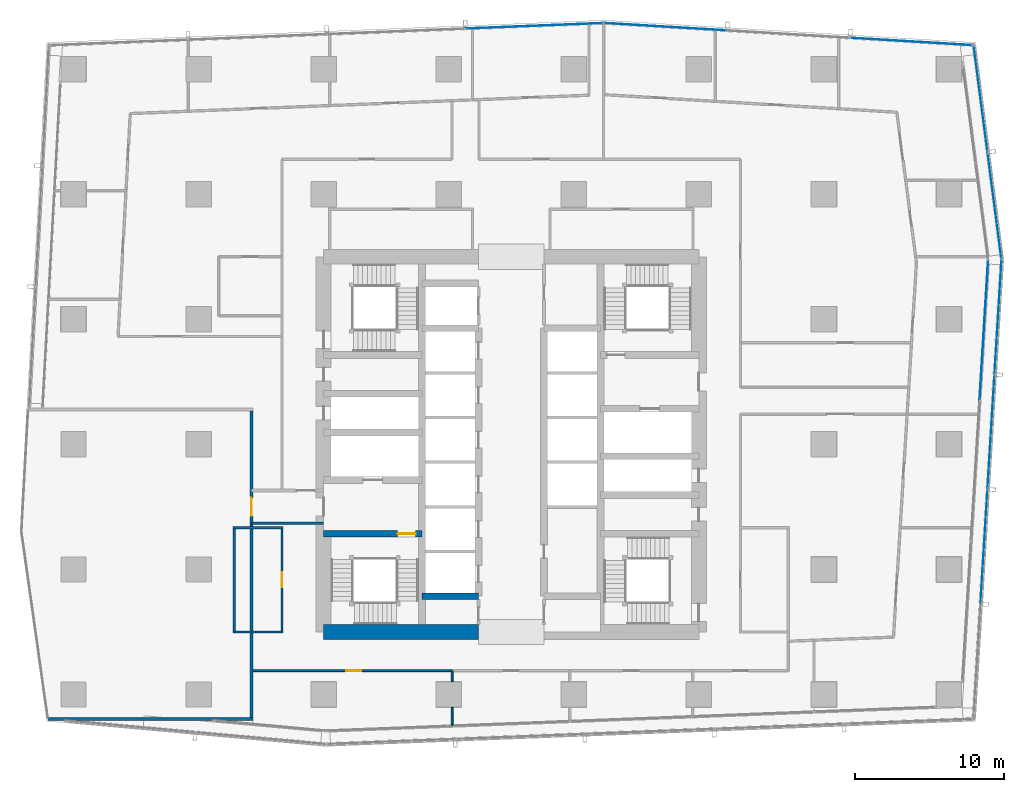
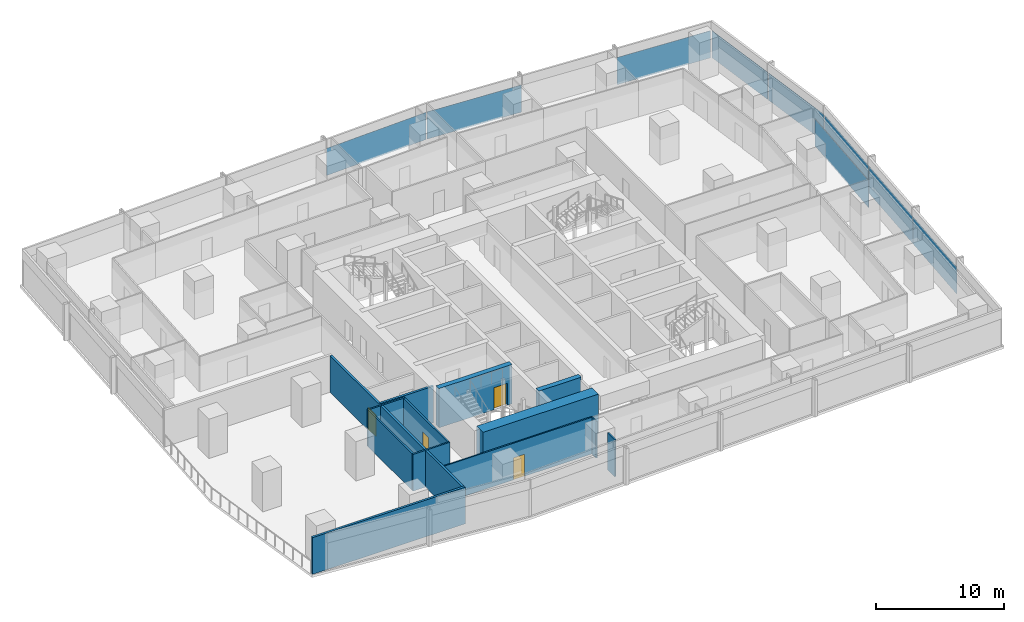
# One storey, part 26 of 38: 13 walls, 9 plates, 4 doors, 4 openings, 5 elements without a shape of their own.
"""IFC4 building model written with IfcOpenShell, lengths in metres."""

from ifc_helpers import new_model, si_unit, direction, frame, frame_2d, origin, origin_2d, place, context, subcontext, project, spatial, rectangle, extrude, material, layer, layer_set, type_object, element, fill, aggregate, save


model = new_model("IFC4")

# Units and contexts
model_context = context("Model", 3, precision=1e-05, world=origin(), true_north=direction((0.0, 1.0)))
body_context = subcontext(model_context, "Body", "Model", "MODEL_VIEW")
ifc_project = project(units=[si_unit("LENGTHUNIT", "METRE"), si_unit("AREAUNIT", "SQUARE_METRE"), si_unit("VOLUMEUNIT", "CUBIC_METRE"), si_unit("PLANEANGLEUNIT", "RADIAN"), si_unit("MASSUNIT", "GRAM", prefix="KILO")], contexts=[model_context])

# Site, building, storey
site_placement = place(None, origin())
site = spatial("IfcSite", under=ifc_project, at=site_placement, CompositionType="ELEMENT")
building_placement = place(site_placement, origin())
building = spatial("IfcBuilding", under=site, at=building_placement, Name="Rekha Terrace Tower", CompositionType="ELEMENT")
storey_placement = place(building_placement, frame((0.0, 0.0, 114.050048828125)))
storey = spatial("IfcBuildingStorey", under=building, at=storey_placement, Name="L28", CompositionType="ELEMENT", Elevation=114.050048828125)

# Curtain wall, plate
ifc_material_1 = material(Name="Aluminium framing", Category="aluminium")
curtain_wall_type_1 = type_object("IfcCurtainWallType", Name="CW1 double skin inner glazing", PredefinedType="USERDEFINED", material=ifc_material_1)
curtain_wall_1_placement = place(storey_placement, origin())
curtain_wall_1 = element("IfcCurtainWall", 1, at=curtain_wall_1_placement, inside=storey, type_object=curtain_wall_type_1, Name="CW1 double skin inner glazing", ObjectType="DOUBLE SKIN INNER GLAZING", PredefinedType="USERDEFINED")
ifc_material_2 = material(Name="Double-glazed low-e unit 32", Category="glass")
ifc_layer_1 = layer(ifc_material_2, 0.031982421875)
ifc_layer_set_1 = layer_set([ifc_layer_1], Name="Double-glazed low-e unit 32")
plate_type_1 = type_object("IfcPlateType", Name="CW1 jumbo vision panel, double-glazed low-e unit 32", PredefinedType="CURTAIN_PANEL", material=ifc_layer_set_1)
plate_1_placement = place(storey_placement, frame((69.547607421875, 41.2705078125, 0.0), z_axis=(0.0, 0.0, 1.0), x_axis=(0.061159803131, 0.998127987024, 0.0)))
plate_1 = element("IfcPlate", 2, at=plate_1_placement, type_object=plate_type_1, Name="CW1 panel 3.1", PredefinedType="CURTAIN_PANEL", context=body_context, shape_type="SweptSolid", body=[
    extrude(rectangle(XDim=9.420166015625, YDim=0.031982421875, at=origin_2d()), origin(), (0.0, 0.0, 1.0), 2.60009765625),
])
aggregate(curtain_wall_1, [plate_1])

# Curtain wall, plates
curtain_wall_type_2 = type_object("IfcCurtainWallType", Name="CW2 double skin outer glazing", PredefinedType="USERDEFINED", material=ifc_material_1)
curtain_wall_2_placement = place(storey_placement, origin())
curtain_wall_2 = element("IfcCurtainWall", 3, at=curtain_wall_2_placement, inside=storey, type_object=curtain_wall_type_2, Name="CW2 double skin outer glazing", ObjectType="DOUBLE SKIN OUTER GLAZING", PredefinedType="USERDEFINED")
ifc_material_3 = material(Name="Toughened single glazing 12", Category="glass")
ifc_layer_2 = layer(ifc_material_3, 0.011962890625)
ifc_layer_set_2 = layer_set([ifc_layer_2], Name="Toughened single glazing 12")
plate_type_2 = type_object("IfcPlateType", Name="CW2 jumbo vision panel, toughened single glazing 12", PredefinedType="CURTAIN_PANEL", material=ifc_layer_set_2)
plate_2_placement = place(storey_placement, frame((69.557861328125, 26.722412109375, 0.0), z_axis=(0.0, 0.0, 1.0), x_axis=(0.061159803131, 0.998127987024, 0.0)))
plate_2 = element("IfcPlate", 4, at=plate_2_placement, type_object=plate_type_2, Name="CW2 panel 2.1", PredefinedType="CURTAIN_PANEL", context=body_context, shape_type="SweptSolid", body=[
    extrude(rectangle(XDim=7.646484375, YDim=0.011962890625, at=origin_2d()), origin(), (0.0, 0.0, 1.0), 2.60009765625),
])
plate_3_placement = place(storey_placement, frame((70.030517578125, 34.434326171875, 0.0), z_axis=(0.0, 0.0, 1.0), x_axis=(0.061159803131, 0.998127987024, 0.0)))
plate_3 = element("IfcPlate", 5, at=plate_3_placement, type_object=plate_type_2, Name="CW2 panel 3.1", PredefinedType="CURTAIN_PANEL", context=body_context, shape_type="SweptSolid", body=[
    extrude(rectangle(XDim=7.646484375, YDim=0.011962890625, at=origin_2d()), origin(), (0.0, 0.0, 1.0), 2.60009765625),
])
plate_4_placement = place(storey_placement, frame((70.50439453125, 42.16650390625, 0.0), z_axis=(0.0, 0.0, 1.0), x_axis=(0.061159803131, 0.998127987024, 0.0)))
plate_4 = element("IfcPlate", 6, at=plate_4_placement, type_object=plate_type_2, Name="CW2 panel 4.1", PredefinedType="CURTAIN_PANEL", context=body_context, shape_type="SweptSolid", body=[
    extrude(rectangle(XDim=7.6865234375, YDim=0.011962890625, at=origin_2d()), origin(), (0.0, 0.0, 1.0), 2.60009765625),
])
aggregate(curtain_wall_2, [plate_2, plate_3, plate_4])

curtain_wall_3_placement = place(storey_placement, origin())
curtain_wall_3 = element("IfcCurtainWall", 7, at=curtain_wall_3_placement, inside=storey, type_object=curtain_wall_type_2, Name="CW2 double skin outer glazing", ObjectType="DOUBLE SKIN OUTER GLAZING", PredefinedType="USERDEFINED")
plate_5_placement = place(storey_placement, frame((70.2666015625, 49.6337890625, 0.0), z_axis=(0.0, 0.0, 1.0), x_axis=(-0.129118383623, 0.991629186244, 0.0)))
plate_5 = element("IfcPlate", 8, at=plate_5_placement, type_object=plate_type_2, Name="CW2 panel 1.1", PredefinedType="CURTAIN_PANEL", context=body_context, shape_type="SweptSolid", body=[
    extrude(rectangle(XDim=7.163818359375, YDim=0.011962890625, at=origin_2d()), origin(), (0.0, 0.0, 1.0), 2.60009765625),
])
plate_6_placement = place(storey_placement, frame((69.331298828125, 56.81689453125, 0.0), z_axis=(0.0, 0.0, 1.0), x_axis=(-0.129118383623, 0.991629186244, 0.0)))
plate_6 = element("IfcPlate", 9, at=plate_6_placement, type_object=plate_type_2, Name="CW2 panel 2.1", PredefinedType="CURTAIN_PANEL", context=body_context, shape_type="SweptSolid", body=[
    extrude(rectangle(XDim=7.163818359375, YDim=0.011962890625, at=origin_2d()), origin(), (0.0, 0.0, 1.0), 2.60009765625),
])
aggregate(curtain_wall_3, [plate_5, plate_6])

curtain_wall_type_3 = type_object("IfcCurtainWallType", Name="CW3 north unitised glazing", PredefinedType="USERDEFINED", material=ifc_material_1)
curtain_wall_4_placement = place(storey_placement, origin())
curtain_wall_4 = element("IfcCurtainWall", 10, at=curtain_wall_4_placement, inside=storey, type_object=curtain_wall_type_3, Name="CW3 unitised curtain wall", ObjectType="UNITISED CURTAIN WALL", PredefinedType="USERDEFINED")
ifc_material_4 = material(Name="Double-glazed unit 28", Category="glass")
ifc_layer_3 = layer(ifc_material_4, 0.028076171875)
ifc_layer_set_3 = layer_set([ifc_layer_3], Name="Double-glazed unit 28")
plate_type_3 = type_object("IfcPlateType", Name="CW3 jumbo vision panel, double-glazed unit 28", PredefinedType="CURTAIN_PANEL", material=ifc_layer_set_3)
plate_7_placement = place(storey_placement, frame((64.6748046875, 60.65966796875, 0.0), z_axis=(0.0, 0.0, 1.0), x_axis=(-0.998199102701, 0.059987926837, 0.0)))
plate_7 = element("IfcPlate", 11, at=plate_7_placement, type_object=plate_type_3, Name="CW3 panel 1.1", PredefinedType="CURTAIN_PANEL", context=body_context, shape_type="SweptSolid", body=[
    extrude(rectangle(XDim=8.171630859375, YDim=0.028076171875, at=origin_2d()), origin(), (0.0, 0.0, 1.0), 2.60009765625),
])
plate_8_placement = place(storey_placement, frame((48.1513671875, 61.652587890625, 0.0), z_axis=(0.0, 0.0, 1.0), x_axis=(-0.998199102701, 0.059987926837, 0.0)))
plate_8 = element("IfcPlate", 12, at=plate_8_placement, type_object=plate_type_3, Name="CW3 panel 3.1", PredefinedType="CURTAIN_PANEL", context=body_context, shape_type="SweptSolid", body=[
    extrude(rectangle(XDim=8.24169921875, YDim=0.028076171875, at=origin_2d()), origin(), (0.0, 0.0, 1.0), 2.60009765625),
])
aggregate(curtain_wall_4, [plate_7, plate_8])

# Curtain wall, plate
curtain_wall_5_placement = place(storey_placement, origin())
curtain_wall_5 = element("IfcCurtainWall", 13, at=curtain_wall_5_placement, inside=storey, type_object=curtain_wall_type_3, Name="CW3 unitised curtain wall", ObjectType="UNITISED CURTAIN WALL", PredefinedType="USERDEFINED")
plate_9_placement = place(storey_placement, frame((39.364501953125, 61.71240234375, 0.0), z_axis=(0.0, 0.0, 1.0), x_axis=(-0.999198398721, -0.040031987119, 0.0)))
plate_9 = element("IfcPlate", 14, at=plate_9_placement, type_object=plate_type_3, Name="CW3 panel 1.1", PredefinedType="CURTAIN_PANEL", context=body_context, shape_type="SweptSolid", body=[
    extrude(rectangle(XDim=9.214599609375, YDim=0.028076171875, at=origin_2d()), origin(), (0.0, 0.0, 1.0), 2.60009765625),
])
aggregate(curtain_wall_5, [plate_9])

# Wall
ifc_material_5 = material(Name="Concrete M70", Category="concrete")
ifc_layer_4 = layer(ifc_material_5, 0.449951171875)
ifc_layer_set_4 = layer_set([ifc_layer_4], Name="Concrete M70")
wall_type_1 = type_object("IfcWallType", Name="CI2 450 core internal shear wall", PredefinedType="SHEAR", material=ifc_layer_set_4)
wall_1_placement = place(storey_placement, frame((31.800048828125, 23.39990234375, 0.0), z_axis=(0.0, 0.0, 1.0), x_axis=(1.0, 0.0, 0.0)))
element("IfcWall", 15, at=wall_1_placement, inside=storey, type_object=wall_type_1, Name="Core wall Y234W L28", PredefinedType="SHEAR", context=body_context, shape_type="SweptSolid", body=[
    extrude(rectangle(XDim=3.800048828125, YDim=0.449951171875, at=frame_2d((1.89990234375, 0.0))), origin(), (0.0, 0.0, 1.0), 3.75),
])

# Wall, opening, door
wall_2_placement = place(storey_placement, frame((25.199951171875, 27.60009765625, 0.0), z_axis=(0.0, 0.0, 1.0), x_axis=(1.0, 0.0, 0.0)))
wall_2 = element("IfcWall", 16, at=wall_2_placement, inside=storey, type_object=wall_type_1, Name="Core wall Y276W L28", PredefinedType="SHEAR", context=body_context, shape_type="SweptSolid", body=[
    extrude(rectangle(XDim=6.60009765625, YDim=0.449951171875, at=frame_2d((3.300048828125, 0.0))), origin(), (0.0, 0.0, 1.0), 3.75),
])
opening_1_placement = place(wall_2_placement, frame((4.97509765625, 0.0, 0.0)))
opening_1 = element("IfcOpeningElement", 17, at=opening_1_placement, cuts=wall_2, Name="Opening D1", PredefinedType="OPENING", context=body_context, shape_type="SweptSolid", body=[
    extrude(rectangle(XDim=1.199951171875, YDim=2.10009765625, at=frame_2d((0.60009765625, 1.050048828125))), frame((0.0, 0.23486328125, 0.0), z_axis=(0.0, -1.0, 0.0), x_axis=(1.0, 0.0, 0.0)), (0.0, 0.0, 1.0), 0.469970703125),
])
ifc_material_6 = material(Name="Steel fire door", Category="steel")
door_type_1 = type_object("IfcDoorType", Name="D1 1200x2100 stair fire door", OperationType="SINGLE_SWING_RIGHT", PredefinedType="DOOR", material=ifc_material_6)
door_1_placement = place(opening_1_placement, origin())
door_1 = element("IfcDoor", 18, at=door_1_placement, inside=storey, type_object=door_type_1, Name="Stair ST1 door L28", OperationType="SINGLE_SWING_RIGHT", OverallHeight=2.10009765625, OverallWidth=1.199951171875, PredefinedType="DOOR", context=body_context, shape_type="SweptSolid", body=[
    extrude(rectangle(XDim=1.199951171875, YDim=2.10009765625, at=frame_2d((0.60009765625, 1.050048828125))), frame((0.0, 0.02490234375, 0.0), z_axis=(0.0, -1.0, 0.0), x_axis=(1.0, 0.0, 0.0)), (0.0, 0.0, 1.0), 0.050048828125),
])
fill(opening_1, door_1)

# Walls
ifc_layer_5 = layer(ifc_material_5, 1.0)
ifc_layer_set_5 = layer_set([ifc_layer_5], Name="Concrete M70")
wall_type_2 = type_object("IfcWallType", Name="SW2 1000 core outer shear wall", PredefinedType="SHEAR", material=ifc_layer_set_5)
wall_3_placement = place(storey_placement, frame((25.199951171875, 21.0, 0.0), z_axis=(0.0, 0.0, 1.0), x_axis=(1.0, 0.0, 0.0)))
element("IfcWall", 19, at=wall_3_placement, inside=storey, type_object=wall_type_2, Name="Core wall S1 L28", PredefinedType="SHEAR", context=body_context, shape_type="SweptSolid", body=[
    extrude(rectangle(XDim=10.400146484375, YDim=1.0, at=frame_2d((5.2001953125, 0.0))), origin(), (0.0, 0.0, 1.0), 3.75),
])
ifc_material_7 = material(Name="Concrete block masonry, 1 hour", Category="masonry")
ifc_layer_6 = layer(ifc_material_7, 0.14990234375)
ifc_layer_set_6 = layer_set([ifc_layer_6], Name="Concrete block masonry, 1 hour")
wall_type_3 = type_object("IfcWallType", Name="WP2 150 tenancy partition", PredefinedType="PARTITIONING", material=ifc_layer_set_6)
for number, where, z_axis, x_axis, name in (
    (20, (19.125, 21.0, 0.0), (0.0, 0.0, 1.0), (1.0, 0.0, 0.0), "Men's WC wall L28"),
    (21, (19.125, 28.0, 0.0), (0.0, 0.0, 1.0), (1.0, 0.0, 0.0), "Men's WC wall L28"),
):
    element("IfcWall", number, at=place(storey_placement, frame(where, z_axis=z_axis, x_axis=x_axis)), inside=storey, type_object=wall_type_3, Name=name, PredefinedType="PARTITIONING", context=body_context, shape_type="SweptSolid", body=[
        extrude(rectangle(XDim=3.35009765625, YDim=0.14990234375, at=frame_2d((1.675048828125, 0.0))), origin(), (0.0, 0.0, 1.0), 3.5),
    ])
wall_4_placement = place(storey_placement, frame((19.199951171875, 21.074951171875, 0.0), z_axis=(0.0, 0.0, 1.0), x_axis=(0.0, 1.0, 0.0)))
element("IfcWall", 22, at=wall_4_placement, inside=storey, type_object=wall_type_3, Name="Men's WC wall L28", PredefinedType="PARTITIONING", context=body_context, shape_type="SweptSolid", body=[
    extrude(rectangle(XDim=6.85009765625, YDim=0.14990234375, at=frame_2d((3.425048828125, 0.0))), origin(), (0.0, 0.0, 1.0), 3.5),
])

# Wall, opening, door
wall_5_placement = place(storey_placement, frame((22.39990234375, 21.074951171875, 0.0), z_axis=(0.0, 0.0, 1.0), x_axis=(0.0, 1.0, 0.0)))
wall_5 = element("IfcWall", 23, at=wall_5_placement, inside=storey, type_object=wall_type_3, Name="Men's WC wall L28", PredefinedType="PARTITIONING", context=body_context, shape_type="SweptSolid", body=[
    extrude(rectangle(XDim=6.85009765625, YDim=0.14990234375, at=frame_2d((3.425048828125, 0.0))), origin(), (0.0, 0.0, 1.0), 3.5),
])
opening_2_placement = place(wall_5_placement, frame((2.925048828125, 0.0, 0.0)))
opening_2 = element("IfcOpeningElement", 24, at=opening_2_placement, cuts=wall_5, Name="Opening D3", PredefinedType="OPENING", context=body_context, shape_type="SweptSolid", body=[
    extrude(rectangle(XDim=1.0, YDim=2.10009765625, at=frame_2d((0.5, 1.050048828125))), frame((0.0, 0.0849609375, 0.0), z_axis=(0.0, -1.0, 0.0), x_axis=(1.0, 0.0, 0.0)), (0.0, 0.0, 1.0), 0.169921875),
])
ifc_material_8 = material(Name="Laminated timber fire door", Category="wood")
door_type_2 = type_object("IfcDoorType", Name="D3 1000x2100 WC door", OperationType="SINGLE_SWING_LEFT", PredefinedType="DOOR", material=ifc_material_8)
door_2_placement = place(opening_2_placement, origin())
door_2 = element("IfcDoor", 25, at=door_2_placement, inside=storey, type_object=door_type_2, Name="Door men's wc L28", OperationType="SINGLE_SWING_LEFT", OverallHeight=2.10009765625, OverallWidth=1.0, PredefinedType="DOOR", context=body_context, shape_type="SweptSolid", body=[
    extrude(rectangle(XDim=1.0, YDim=2.10009765625, at=frame_2d((0.5, 1.050048828125))), frame((0.0, 0.02490234375, 0.0), z_axis=(0.0, -1.0, 0.0), x_axis=(1.0, 0.0, 0.0)), (0.0, 0.0, 1.0), 0.050048828125),
])
fill(opening_2, door_2)

ifc_material_9 = material(Name="Two layers of fire-rated gypsum board each side on steel studs, acoustic quilt, 1 hour", Category="steel")
ifc_layer_7 = layer(ifc_material_9, 0.125)
ifc_layer_set_7 = layer_set([ifc_layer_7], Name="Two layers of fire-rated gypsum board each side on steel studs, acoustic quilt, 1 hour")
wall_type_4 = type_object("IfcWallType", Name="WP3 125 office partition", PredefinedType="PARTITIONING", material=ifc_layer_set_7)
wall_6_placement = place(storey_placement, frame((20.4609375, 18.39990234375, 0.0), z_axis=(0.0, 0.0, 1.0), x_axis=(1.0, 0.0, 0.0)))
wall_6 = element("IfcWall", 26, at=wall_6_placement, inside=storey, type_object=wall_type_4, Name="Partition L28-20", PredefinedType="PARTITIONING", context=body_context, shape_type="SweptSolid", body=[
    extrude(rectangle(XDim=13.364013671875, YDim=0.125, at=frame_2d((6.68212890625, 0.0))), origin(), (0.0, 0.0, 1.0), 3.5),
])
opening_3_placement = place(wall_6_placement, frame((6.251953125, 0.0, 0.0)))
opening_3 = element("IfcOpeningElement", 27, at=opening_3_placement, cuts=wall_6, Name="Opening D9", PredefinedType="OPENING", context=body_context, shape_type="SweptSolid", body=[
    extrude(rectangle(XDim=1.0, YDim=2.10009765625, at=frame_2d((0.5, 1.050048828125))), frame((0.0, 0.072509765625, 0.0), z_axis=(0.0, -1.0, 0.0), x_axis=(1.0, 0.0, 0.0)), (0.0, 0.0, 1.0), 0.14501953125),
])
ifc_material_10 = material(Name="Timber fire door", Category="wood")
door_type_3 = type_object("IfcDoorType", Name="D9 1000x2100 office door", OperationType="SINGLE_SWING_LEFT", PredefinedType="DOOR", material=ifc_material_10)
door_3_placement = place(opening_3_placement, origin())
door_3 = element("IfcDoor", 28, at=door_3_placement, inside=storey, type_object=door_type_3, Name="Door director's office L28", OperationType="SINGLE_SWING_LEFT", OverallHeight=2.10009765625, OverallWidth=1.0, PredefinedType="DOOR", context=body_context, shape_type="SweptSolid", body=[
    extrude(rectangle(XDim=1.0, YDim=2.10009765625, at=frame_2d((0.5, 1.050048828125))), frame((0.0, 0.02490234375, 0.0), z_axis=(0.0, -1.0, 0.0), x_axis=(1.0, 0.0, 0.0)), (0.0, 0.0, 1.0), 0.050048828125),
])
fill(opening_3, door_3)

# Walls
wall_7_placement = place(storey_placement, frame((33.824951171875, 18.39990234375, 0.0), z_axis=(0.0, 0.0, 1.0), x_axis=(0.0, -1.0, 0.0)))
element("IfcWall", 29, at=wall_7_placement, inside=storey, type_object=wall_type_4, Name="Partition L28-20", PredefinedType="PARTITIONING", context=body_context, shape_type="SweptSolid", body=[
    extrude(rectangle(XDim=0.72998046875, YDim=0.125, at=frame_2d((0.364990234375, 0.0))), origin(), (0.0, 0.0, 1.0), 3.5),
])
wall_8_placement = place(storey_placement, frame((33.824951171875, 15.929931640625, 0.0), z_axis=(0.0, 0.0, 1.0), x_axis=(0.0, -1.0, 0.0)))
element("IfcWall", 30, at=wall_8_placement, inside=storey, type_object=wall_type_4, Name="Partition L28-20", PredefinedType="PARTITIONING", context=body_context, shape_type="SweptSolid", body=[
    extrude(rectangle(XDim=1.18798828125, YDim=0.125, at=frame_2d((0.593994140625, 0.0))), origin(), (0.0, 0.0, 1.0), 3.5),
])

# Wall, opening, door
ifc_material_11 = material(Name="Solid concrete block masonry, 2 hour", Category="masonry")
ifc_layer_8 = layer(ifc_material_11, 0.199951171875)
ifc_layer_set_8 = layer_set([ifc_layer_8], Name="Solid concrete block masonry, 2 hour")
wall_type_5 = type_object("IfcWallType", Name="WS1 200 stair and shaft enclosure", PredefinedType="PARTITIONING", material=ifc_layer_set_8)
wall_9_placement = place(storey_placement, frame((20.35009765625, 15.248046875, 0.0), z_axis=(0.0, 0.0, 1.0), x_axis=(0.0, 1.0, 0.0)))
wall_9 = element("IfcWall", 31, at=wall_9_placement, inside=storey, type_object=wall_type_5, Name="Refuge area inner wall L28", PredefinedType="PARTITIONING", context=body_context, shape_type="SweptSolid", body=[
    extrude(rectangle(XDim=20.594970703125, YDim=0.199951171875, at=frame_2d((10.29736328125, 0.0))), origin(), (0.0, 0.0, 1.0), 3.5),
])
opening_4_placement = place(wall_9_placement, frame((13.552001953125, 0.0, 0.0)))
opening_4 = element("IfcOpeningElement", 32, at=opening_4_placement, cuts=wall_9, Name="Opening D2", PredefinedType="OPENING", context=body_context, shape_type="SweptSolid", body=[
    extrude(rectangle(XDim=1.199951171875, YDim=2.10009765625, at=frame_2d((0.60009765625, 1.050048828125))), frame((0.0, 0.10986328125, 0.0), z_axis=(0.0, -1.0, 0.0), x_axis=(1.0, 0.0, 0.0)), (0.0, 0.0, 1.0), 0.219970703125),
])
door_type_4 = type_object("IfcDoorType", Name="D2 1200x2100 firefighting lobby door", OperationType="SINGLE_SWING_LEFT", PredefinedType="DOOR", material=ifc_material_6)
door_4_placement = place(opening_4_placement, origin())
door_4 = element("IfcDoor", 33, at=door_4_placement, inside=storey, type_object=door_type_4, Name="Refuge area door L28", OperationType="SINGLE_SWING_LEFT", OverallHeight=2.10009765625, OverallWidth=1.199951171875, PredefinedType="DOOR", context=body_context, shape_type="SweptSolid", body=[
    extrude(rectangle(XDim=1.199951171875, YDim=2.10009765625, at=frame_2d((0.60009765625, 1.050048828125))), frame((0.0, 0.02490234375, 0.0), z_axis=(0.0, -1.0, 0.0), x_axis=(1.0, 0.0, 0.0)), (0.0, 0.0, 1.0), 0.050048828125),
])
fill(opening_4, door_4)

# Walls
wall_10_placement = place(storey_placement, frame((6.678955078125, 15.14794921875, 0.0), z_axis=(0.0, 0.0, 1.0), x_axis=(1.0, 0.0, 0.0)))
element("IfcWall", 34, at=wall_10_placement, inside=storey, type_object=wall_type_5, Name="Refuge area south wall L28", PredefinedType="PARTITIONING", context=body_context, shape_type="SweptSolid", body=[
    extrude(rectangle(XDim=13.77099609375, YDim=0.199951171875, at=frame_2d((6.885498046875, 0.0))), origin(), (0.0, 0.0, 1.0), 3.5),
])
wall_11_placement = place(storey_placement, frame((20.35009765625, 28.300048828125, 0.0), z_axis=(0.0, 0.0, 1.0), x_axis=(1.0, 0.0, 0.0)))
element("IfcWall", 35, at=wall_11_placement, inside=storey, type_object=wall_type_5, Name="Refuge corridor south wall L28", PredefinedType="PARTITIONING", context=body_context, shape_type="SweptSolid", body=[
    extrude(rectangle(XDim=4.849853515625, YDim=0.199951171875, at=frame_2d((2.4248046875, 0.0))), origin(), (0.0, 0.0, 1.0), 3.5),
])

save(model, "model.ifc")
